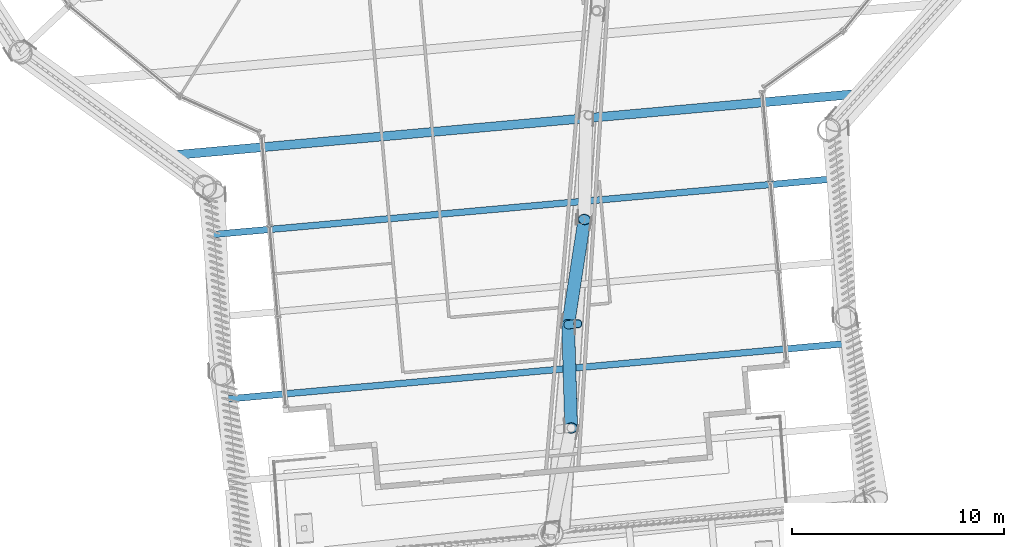
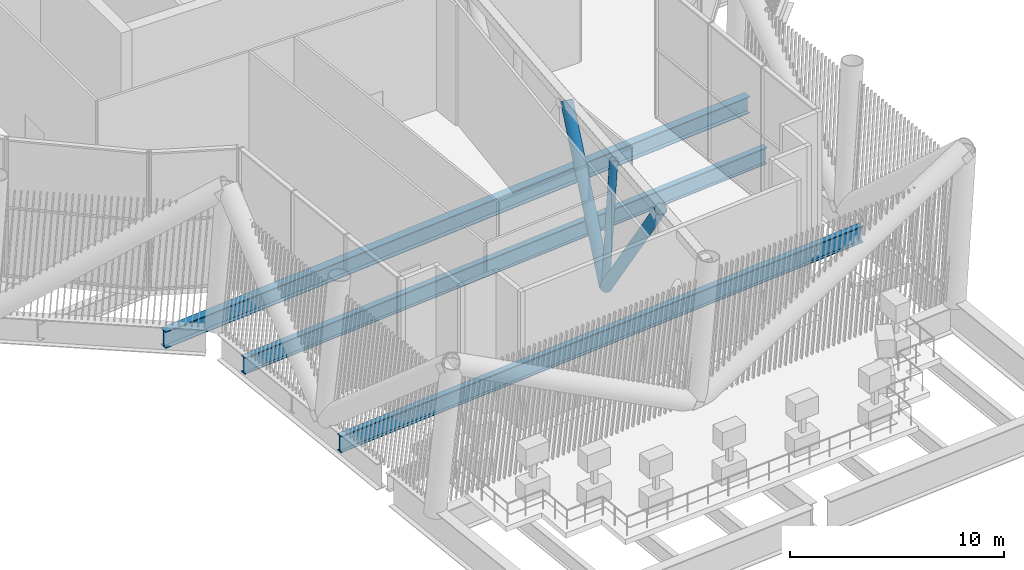
# One storey, part 7 of 55: 3 beams, 3 members.
"""IFC4 building model written with IfcOpenShell, lengths in metres."""

import ifcopenshell
import ifcopenshell.guid

model = None  # the IFC model being written
_history = None  # IfcOwnerHistory: only IFC2X3 demands one
_inside = {}  # id of a spatial element -> (the spatial element, [elements in it])
_under = {}  # id of a project, library or spatial element -> (it, [spatial elements below it])
_declared = {}  # id of a project -> (the project, [libraries it declares])
_typed = {}  # id of a type object -> (the type object, [elements of that type])
_made_of = {}  # id of a material, layer set ... -> (it, [elements and type objects made of it])


def new_model(schema):
    """Start an empty IFC model of exactly this schema.

    Asked for "IFC4X3", IfcOpenShell would pick the latest addendum, in which some entities
    have other attributes; the version numbers below select the first issue.
    IFC2X3 requires an IfcOwnerHistory on every rooted entity: one is made here for all.
    """
    global model, _history
    if schema == "IFC4X3":
        model = ifcopenshell.file(schema_version=(4, 3, 0, 0))
    else:
        model = ifcopenshell.file(schema=schema)
    _inside.clear()
    _under.clear()
    _declared.clear()
    _typed.clear()
    _made_of.clear()
    _history = None
    if model.schema == "IFC2X3":
        org = make("IfcOrganization", Name="unknown")
        user = make(
            "IfcPersonAndOrganization",
            ThePerson=make("IfcPerson", FamilyName="unknown"),
            TheOrganization=org,
        )
        app = make(
            "IfcApplication",
            ApplicationDeveloper=org,
            Version="unknown",
            ApplicationFullName="unknown",
            ApplicationIdentifier="unknown",
        )
        _history = make(
            "IfcOwnerHistory",
            OwningUser=user,
            OwningApplication=app,
            ChangeAction="ADDED",
            CreationDate=0,
        )
    return model


def make(cls, **values):
    """One entity of the class cls with the attributes given. An attribute that is None is left unset."""
    return model.create_entity(
        cls, **{name: value for name, value in values.items() if value is not None}
    )


def rooted(cls, **values):
    """An entity with a GlobalId (a new one), such as an element, a storey or a relation."""
    return make(cls, GlobalId=ifcopenshell.guid.new(), OwnerHistory=_history, **values)


def si_unit(unit_type, name, prefix=None):
    """IfcSIUnit, for example si_unit("LENGTHUNIT", "METRE", prefix="MILLI")."""
    return make("IfcSIUnit", UnitType=unit_type, Prefix=prefix, Name=name)


def assignment(units):
    """IfcUnitAssignment: the units of a project."""
    return None if units is None else make("IfcUnitAssignment", Units=units)


def point(xyz):
    """IfcCartesianPoint."""
    return None if xyz is None else make("IfcCartesianPoint", Coordinates=xyz)


def direction(xyz):
    """IfcDirection."""
    return None if xyz is None else make("IfcDirection", DirectionRatios=xyz)


def frame(location, z_axis=None, x_axis=None):
    """IfcAxis2Placement3D, a coordinate frame: its origin and axes. An axis left out is left unset."""
    return make(
        "IfcAxis2Placement3D",
        Location=point(location),
        Axis=direction(z_axis),
        RefDirection=direction(x_axis),
    )


def frame_2d(location, x_axis=None):
    """IfcAxis2Placement2D, a coordinate frame in the plane: its origin and x axis."""
    return make(
        "IfcAxis2Placement2D", Location=point(location), RefDirection=direction(x_axis)
    )


def origin():
    """The frame at (0, 0, 0) with its axes left unset."""
    return frame((0.0, 0.0, 0.0))


def origin_2d():
    """The frame at (0, 0) in the plane with its x axis left unset."""
    return frame_2d((0.0, 0.0))


def place(relative_to, where):
    """IfcLocalPlacement: puts the frame where relative to a parent placement (None: the world)."""
    return make(
        "IfcLocalPlacement", PlacementRelTo=relative_to, RelativePlacement=where
    )


def context(
    kind, dimensions, precision=None, world=None, true_north=None, identifier=None
):
    """IfcGeometricRepresentationContext, for example the 3D "Model" context."""
    return make(
        "IfcGeometricRepresentationContext",
        ContextIdentifier=identifier,
        ContextType=kind,
        CoordinateSpaceDimension=dimensions,
        Precision=precision,
        WorldCoordinateSystem=world,
        TrueNorth=true_north,
    )


def subcontext(parent, identifier, kind, view, scale=None):
    """IfcGeometricRepresentationSubContext, for example "Body" below "Model"."""
    return make(
        "IfcGeometricRepresentationSubContext",
        ContextIdentifier=identifier,
        ContextType=kind,
        ParentContext=parent,
        TargetScale=scale,
        TargetView=view,
    )


def project(units=None, contexts=None):
    """IfcProject with its units and contexts."""
    return rooted(
        "IfcProject",
        Name="project",
        RepresentationContexts=contexts,
        UnitsInContext=assignment(units),
    )


def spatial(cls, under=None, at=None, **own):
    """A site, building, storey or space (cls), placed at a placement, below another one or the project."""
    s = rooted(cls, ObjectPlacement=at, **own)
    if under is not None:
        _under.setdefault(under.id(), (under, []))[1].append(s)
    return s


def profile(cls, at=None, kind="AREA", **sizes):
    """A parametric profile (cls). Its sizes go by their IFC names, for example OverallWidth=200.0."""
    return make(cls, ProfileType=kind, Position=at, **sizes)


def hollow_circle(**sizes):
    """IfcCircleHollowProfileDef."""
    return profile("IfcCircleHollowProfileDef", **sizes)


def i_section(**sizes):
    """IfcIShapeProfileDef."""
    return profile("IfcIShapeProfileDef", **sizes)


def extrude(swept, where, along, depth):
    """IfcExtrudedAreaSolid: the profile swept, set in the frame where, extruded along a direction by depth."""
    return make(
        "IfcExtrudedAreaSolid",
        SweptArea=swept,
        Position=where,
        ExtrudedDirection=direction(along),
        Depth=depth,
    )


def shape(context_of_items, identifier, shape_type, items):
    """IfcShapeRepresentation: the items that make up one representation, for example the "Body"."""
    return make(
        "IfcShapeRepresentation",
        ContextOfItems=context_of_items,
        RepresentationIdentifier=identifier,
        RepresentationType=shape_type,
        Items=items,
    )


def material(Name=None, Category=None):
    """IfcMaterial."""
    return make("IfcMaterial", Name=Name, Category=Category)


def material_profile(
    of_material, cross_section, Name=None, Category=None, Priority=None
):
    """IfcMaterialProfile: a cross section and its material."""
    return make(
        "IfcMaterialProfile",
        Name=Name,
        Material=of_material,
        Profile=cross_section,
        Priority=Priority,
        Category=Category,
    )


def profile_set(profiles, Name=None, composite=None):
    """IfcMaterialProfileSet."""
    return make(
        "IfcMaterialProfileSet",
        Name=Name,
        MaterialProfiles=profiles,
        CompositeProfile=composite,
    )


def made_of(thing, what):
    """Note that an element or type object is made of a material, layer set ...; save() writes the relation."""
    if what is not None:
        _made_of.setdefault(what.id(), (what, []))[1].append(thing)
    return thing


def type_object(cls, material=None, **own):
    """A type object (cls), such as IfcWallType, which elements share."""
    return made_of(rooted(cls, **own), material)


def element(
    cls,
    number,
    at=None,
    inside=None,
    cuts=None,
    type_object=None,
    material=None,
    context=None,
    identifier="Body",
    shape_type=None,
    held_by="IfcProductDefinitionShape",
    body=None,
    shapes=None,
    **own,
):
    """One element of the class cls, such as IfcWall. Its Tag is "e" and its number.

    at: its placement. inside: the storey or other place that contains it. cuts: it is an
    opening in that element (IfcRelVoidsElement). A single representation is given by context,
    identifier, shape_type and body (its items); several are given by shapes. held_by: the class
    of the entity that holds the representations. save() writes the other relations.
    """
    e = rooted(cls, Tag="e%d" % number, ObjectPlacement=at, **own)
    if body is not None:
        shapes = [shape(context, identifier, shape_type, body)]
    if shapes is not None:
        e.Representation = make(held_by, Representations=shapes)
    if inside is not None:
        _inside.setdefault(inside.id(), (inside, []))[1].append(e)
    if cuts is not None:
        rooted(
            "IfcRelVoidsElement", RelatingBuildingElement=cuts, RelatedOpeningElement=e
        )
    if type_object is not None:
        _typed.setdefault(type_object.id(), (type_object, []))[1].append(e)
    return made_of(e, material)


def aggregate(whole, parts):
    """IfcRelAggregates: a whole, such as a stair, and the parts it consists of."""
    return rooted("IfcRelAggregates", RelatingObject=whole, RelatedObjects=parts)


def save(model, path):
    """Write the relations noted so far, then the file.

    IfcRelAggregates (storeys below a building ...), IfcRelContainedInSpatialStructure (elements
    in a storey), IfcRelDefinesByType, IfcRelAssociatesMaterial and IfcRelDeclares: one each for
    every whole, place, type object, material and project.
    """
    for whole, parts in _under.values():
        aggregate(whole, parts)
    for where, things in _inside.values():
        rooted(
            "IfcRelContainedInSpatialStructure",
            RelatedElements=things,
            RelatingStructure=where,
        )
    for kind, things in _typed.values():
        rooted("IfcRelDefinesByType", RelatedObjects=things, RelatingType=kind)
    for what, things in _made_of.values():
        rooted("IfcRelAssociatesMaterial", RelatedObjects=things, RelatingMaterial=what)
    for by, libraries in _declared.values():
        rooted("IfcRelDeclares", RelatingContext=by, RelatedDefinitions=libraries)
    model.write(path)


model = new_model("IFC4")

# Units and contexts
model_context = context("Model", 3, precision=1e-05, world=origin(), true_north=direction((0.0, 1.0)))
body_context = subcontext(model_context, "Body", "Model", "MODEL_VIEW")
ifc_project = project(units=[si_unit("LENGTHUNIT", "METRE"), si_unit("AREAUNIT", "SQUARE_METRE"), si_unit("VOLUMEUNIT", "CUBIC_METRE"), si_unit("PLANEANGLEUNIT", "RADIAN"), si_unit("MASSUNIT", "GRAM", prefix="KILO")], contexts=[model_context])

# Site, building, storey
site_placement = place(None, origin())
site = spatial("IfcSite", under=ifc_project, at=site_placement, CompositionType="ELEMENT")
building_placement = place(site_placement, origin())
building = spatial("IfcBuilding", under=site, at=building_placement, Name="Tarsis Ring Headquarters", CompositionType="ELEMENT")
storey_placement = place(building_placement, frame((0.0, 0.0, 247.199951171875)))
storey = spatial("IfcBuildingStorey", under=building, at=storey_placement, Name="L58", CompositionType="ELEMENT", Elevation=247.199951171875)

# Beams
ifc_material = material(Name="Structural steel S355", Category="steel")
ifc_material_profile_1 = material_profile(ifc_material, i_section(OverallWidth=0.309814453125, OverallDepth=0.949951171875, WebThickness=0.0244140625, FlangeThickness=0.0439453125, at=origin_2d()), Name="W36x256")
ifc_profile_set_1 = profile_set([ifc_material_profile_1], Name="Structural steel S355")
beam_type_1 = type_object("IfcBeamType", Name="FB Floor beam W36x256", PredefinedType="JOIST", material=ifc_profile_set_1)
beam_1_placement = place(storey_placement, frame((-12.389404296875, -28.51953125, -0.77490234375), z_axis=(0.996010001, 0.089241682565, 0.0), x_axis=(-0.089241682565, 0.996010001, 0.0)))
element("IfcBeam", 1, at=beam_1_placement, inside=storey, type_object=beam_type_1, Name="Floor beam FB11", PredefinedType="JOIST", context=body_context, shape_type="SweptSolid", body=[
    extrude(i_section(OverallWidth=0.309814453125, OverallDepth=0.949951171875, WebThickness=0.0244140625, FlangeThickness=0.0439453125, at=origin_2d()), origin(), (0.0, 0.0, 1.0), 29.770263671875),
])
beam_2_placement = place(storey_placement, frame((-11.693115234375, -36.288330078125, -0.77490234375), z_axis=(0.996009935687, 0.089242411509, 0.0), x_axis=(-0.089242411509, 0.996009935687, 0.0)))
element("IfcBeam", 2, at=beam_2_placement, inside=storey, type_object=beam_type_1, Name="Floor beam FB11", PredefinedType="JOIST", context=body_context, shape_type="SweptSolid", body=[
    extrude(i_section(OverallWidth=0.309814453125, OverallDepth=0.949951171875, WebThickness=0.0244140625, FlangeThickness=0.0439453125, at=origin_2d()), origin(), (0.0, 0.0, 1.0), 29.77001953125),
])
ifc_material_profile_2 = material_profile(ifc_material, i_section(OverallWidth=0.42431640625, OverallDepth=0.947509765625, WebThickness=0.02392578125, FlangeThickness=0.042724609375, at=origin_2d()), Name="W36x302")
ifc_profile_set_2 = profile_set([ifc_material_profile_2], Name="Structural steel S355")
beam_type_2 = type_object("IfcBeamType", Name="FB Floor beam W36x302", PredefinedType="JOIST", material=ifc_profile_set_2)
beam_3_placement = place(storey_placement, frame((-14.53759765625, -24.79638671875, -0.773681640625), z_axis=(0.996009876545, 0.089243071581, 0.0), x_axis=(-0.089243071581, 0.996009876545, 0.0)))
element("IfcBeam", 3, at=beam_3_placement, inside=storey, type_object=beam_type_2, Name="Floor beam FB12", PredefinedType="JOIST", context=body_context, shape_type="SweptSolid", body=[
    extrude(i_section(OverallWidth=0.42431640625, OverallDepth=0.947509765625, WebThickness=0.02392578125, FlangeThickness=0.042724609375, at=origin_2d()), origin(), (0.0, 0.0, 1.0), 33.293212890625),
])

# Members
ifc_material_profile_3 = material_profile(ifc_material, hollow_circle(Radius=0.3046875, WallThickness=0.02490234375, at=origin_2d()), Name="CHS 610x25")
ifc_profile_set_3 = profile_set([ifc_material_profile_3], Name="Structural steel S355")
member_type_1 = type_object("IfcMemberType", Name="OD Outrigger diagonal CHS 610x25", PredefinedType="BRACE", material=ifc_profile_set_3)
member_1_placement = place(storey_placement, frame((5.462158203125, -27.780029296875, 7.5859375), z_axis=(-0.086219120582, -0.559106284488, -0.824600767579), x_axis=(0.988317767575, -0.15240731707, 0.0)))
element("IfcMember", 4, at=member_1_placement, inside=storey, type_object=member_type_1, Name="Outrigger diagonal OD1", PredefinedType="BRACE", context=body_context, shape_type="SweptSolid", body=[
    extrude(hollow_circle(Radius=0.3046875, WallThickness=0.02490234375, at=origin_2d()), origin(), (0.0, 0.0, 1.0), 8.891357421875),
])
member_2_placement = place(storey_placement, frame((4.695556640625, -32.751220703125, 0.254150390625), z_axis=(0.016073468301, -0.554174389, 0.832245390611), x_axis=(0.999579639025, 0.028992158355, 0.0)))
element("IfcMember", 5, at=member_2_placement, inside=storey, type_object=member_type_1, Name="Outrigger diagonal OD1", PredefinedType="BRACE", context=body_context, shape_type="SweptSolid", body=[
    extrude(hollow_circle(Radius=0.3046875, WallThickness=0.02490234375, at=origin_2d()), origin(), (0.0, 0.0, 1.0), 8.8095703125),
])
ifc_material_profile_4 = material_profile(ifc_material, hollow_circle(Radius=0.203125, WallThickness=0.01611328125, at=origin_2d()), Name="CHS 406x16")
ifc_profile_set_4 = profile_set([ifc_material_profile_4], Name="Structural steel S355")
member_type_2 = type_object("IfcMemberType", Name="OV Outrigger post CHS 406x16", PredefinedType="STRUT", material=ifc_profile_set_4)
member_3_placement = place(storey_placement, frame((4.695556640625, -32.751220703125, 0.508056640625), z_axis=(0.066396757304, 0.006532584186, 0.997771915802), x_axis=(-0.097914331728, 0.995194847074, 0.0)))
element("IfcMember", 6, at=member_3_placement, inside=storey, type_object=member_type_2, Name="Outrigger post OV1", PredefinedType="STRUT", context=body_context, shape_type="SweptSolid", body=[
    extrude(hollow_circle(Radius=0.203125, WallThickness=0.01611328125, at=origin_2d()), origin(), (0.0, 0.0, 1.0), 6.839111328125),
])

save(model, "model.ifc")
